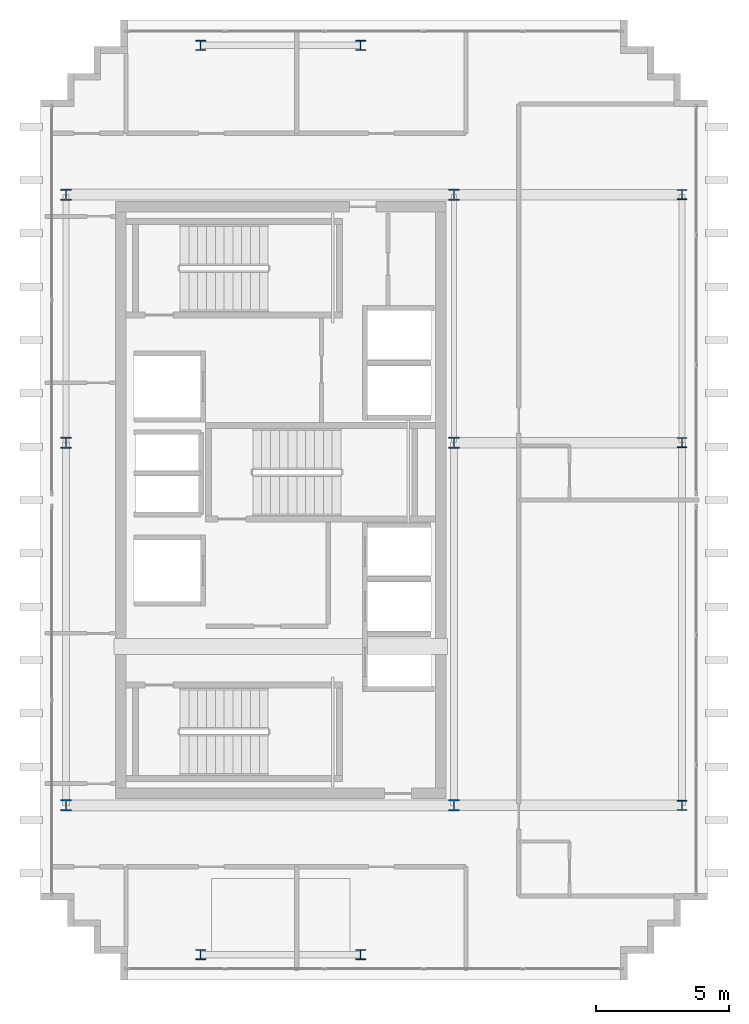
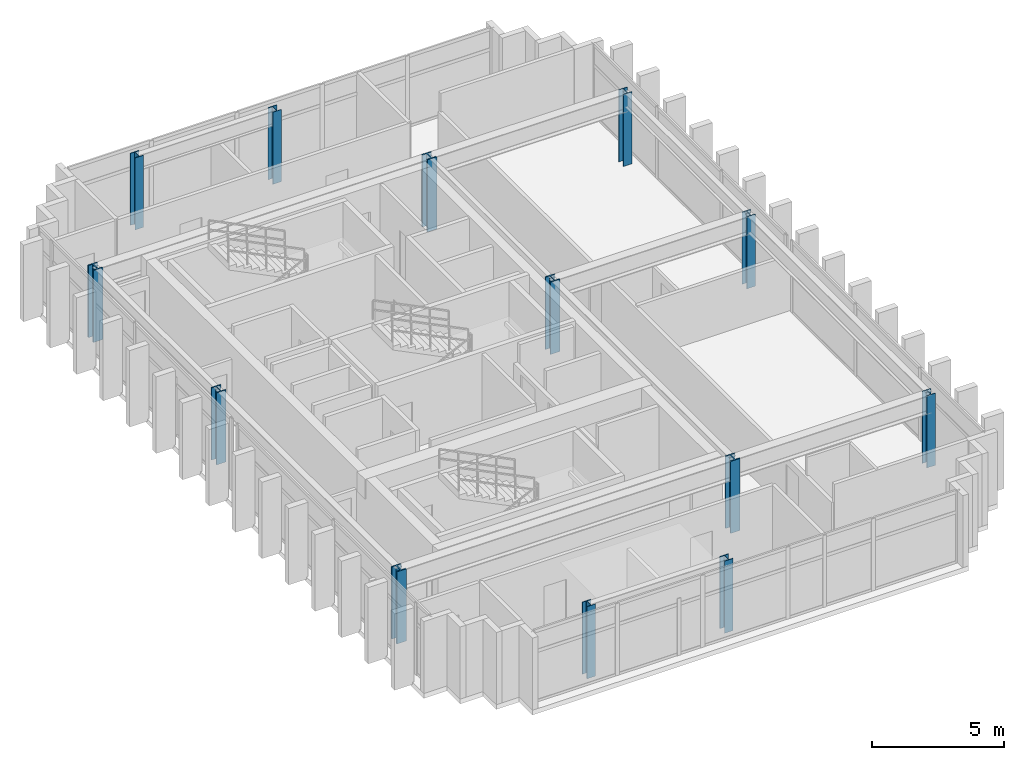
# One storey, part 1 of 15: 13 columns.
"""IFC4 building model written with IfcOpenShell, lengths in metres."""

from ifc_helpers import new_model, si_unit, direction, frame, origin, origin_2d, place, context, subcontext, project, spatial, i_section, extrude, source, transform, mapped, material, material_profile, profile_set, type_object, element, save


model = new_model("IFC4")

# Units and contexts
model_context = context("Model", 3, precision=1e-05, world=origin(), true_north=direction((0.0, 1.0)))
body_context = subcontext(model_context, "Body", "Model", "MODEL_VIEW")
ifc_project = project(units=[si_unit("LENGTHUNIT", "METRE"), si_unit("AREAUNIT", "SQUARE_METRE"), si_unit("VOLUMEUNIT", "CUBIC_METRE"), si_unit("PLANEANGLEUNIT", "RADIAN"), si_unit("MASSUNIT", "GRAM", prefix="KILO")], contexts=[model_context])

# Site, building, storey
site_placement = place(None, origin())
site = spatial("IfcSite", under=ifc_project, at=site_placement, CompositionType="ELEMENT")
building_placement = place(site_placement, origin())
building = spatial("IfcBuilding", under=site, at=building_placement, Name="Ocotamira Hotel", CompositionType="ELEMENT")
storey_placement = place(building_placement, frame((0.0, 0.0, 297.60009765625)))
storey = spatial("IfcBuildingStorey", under=building, at=storey_placement, Name="L76", CompositionType="ELEMENT", Elevation=297.60009765625)

# Columns
ifc_material_1 = material(Name="Steel ASTM A913 Grade 65", Category="steel")
ifc_material_profile_1 = material_profile(ifc_material_1, i_section(OverallWidth=0.412109375, OverallDepth=0.43505859375, WebThickness=0.035888671875, FlangeThickness=0.057373046875, FilletRadius=0.02490234375, at=origin_2d()), Name="W14X311")
ifc_profile_set_1 = profile_set([ifc_material_profile_1], Name="Steel ASTM A913 Grade 65")
column_type_1 = type_object("IfcColumnType", Name="COL-W14X311", PredefinedType="COLUMN", material=ifc_profile_set_1)
shared_shape_1 = source(origin(), body_context, "Body", "SweptSolid", [
    extrude(i_section(OverallWidth=0.412109375, OverallDepth=0.43505859375, WebThickness=0.035888671875, FlangeThickness=0.057373046875, FilletRadius=0.02490234375, at=origin_2d()), origin(), (0.0, 0.0, 1.0), 3.31982421875),
])
for number, where, z_axis, x_axis, name in (
    (1, (8.949951171875, 14.550048828125, 0.0), (0.0, 0.0, 1.0), (1.0, 0.0, 0.0), "L76 Column TW8_14"),
    (2, (23.5, 14.550048828125, 0.0), (0.0, 0.0, 1.0), (1.0, 0.0, 0.0), "L76 Column TW23_14"),
    (3, (8.949951171875, 28.14990234375, 0.0), (0.0, 0.0, 1.0), (1.0, 0.0, 0.0), "L76 Column TW8_28"),
    (4, (23.5, 28.14990234375, 0.0), (0.0, 0.0, 1.0), (1.0, 0.0, 0.0), "L76 Column TW23_28"),
    (5, (8.949951171875, 37.449951171875, 0.0), (0.0, 0.0, 1.0), (1.0, 0.0, 0.0), "L76 Column TW8_37"),
    (6, (23.5, 37.449951171875, 0.0), (0.0, 0.0, 1.0), (1.0, 0.0, 0.0), "L76 Column TW23_37"),
):
    element("IfcColumn", number, at=place(storey_placement, frame(where, z_axis=z_axis, x_axis=x_axis)), inside=storey, type_object=column_type_1, Name=name, PredefinedType="COLUMN", context=body_context, shape_type="MappedRepresentation", body=[
        mapped(shared_shape_1, transform((0.0, 0.0, 0.0), scale=1.0)),
    ])
ifc_material_2 = material(Name="Steel ASTM A992 Grade 50", Category="steel")
ifc_material_profile_2 = material_profile(ifc_material_2, i_section(OverallWidth=0.3740234375, OverallDepth=0.373046875, WebThickness=0.016357421875, FlangeThickness=0.026123046875, FilletRadius=0.02490234375, at=origin_2d()), Name="W14X132")
ifc_profile_set_2 = profile_set([ifc_material_profile_2], Name="Steel ASTM A992 Grade 50")
column_type_2 = type_object("IfcColumnType", Name="COL-W14X132", PredefinedType="COLUMN", material=ifc_profile_set_2)
shared_shape_2 = source(origin(), body_context, "Body", "SweptSolid", [
    extrude(i_section(OverallWidth=0.3740234375, OverallDepth=0.373046875, WebThickness=0.016357421875, FlangeThickness=0.026123046875, FilletRadius=0.02490234375, at=origin_2d()), origin(), (0.0, 0.0, 1.0), 3.31982421875),
])
for number, where, z_axis, x_axis, name in (
    (7, (14.0, 8.949951171875, 0.0), (0.0, 0.0, 1.0), (1.0, 0.0, 0.0), "L76 Column NSP1_14"),
    (8, (20.0, 8.949951171875, 0.0), (0.0, 0.0, 1.0), (1.0, 0.0, 0.0), "L76 Column NSP1_20"),
    (9, (14.0, 43.050048828125, 0.0), (0.0, 0.0, 1.0), (1.0, 0.0, 0.0), "L76 Column NSP2_14"),
    (10, (20.0, 43.050048828125, 0.0), (0.0, 0.0, 1.0), (1.0, 0.0, 0.0), "L76 Column NSP2_20"),
    (11, (32.050048828125, 14.550048828125, 0.0), (0.0, 0.0, 1.0), (1.0, 0.0, 0.0), "L76 Column WPE32_14"),
    (12, (32.050048828125, 28.14990234375, 0.0), (0.0, 0.0, 1.0), (1.0, 0.0, 0.0), "L76 Column WPE32_28"),
    (13, (32.050048828125, 37.449951171875, 0.0), (0.0, 0.0, 1.0), (1.0, 0.0, 0.0), "L76 Column WPE32_37"),
):
    element("IfcColumn", number, at=place(storey_placement, frame(where, z_axis=z_axis, x_axis=x_axis)), inside=storey, type_object=column_type_2, Name=name, PredefinedType="COLUMN", context=body_context, shape_type="MappedRepresentation", body=[
        mapped(shared_shape_2, transform((0.0, 0.0, 0.0), scale=1.0)),
    ])

save(model, "model.ifc")
